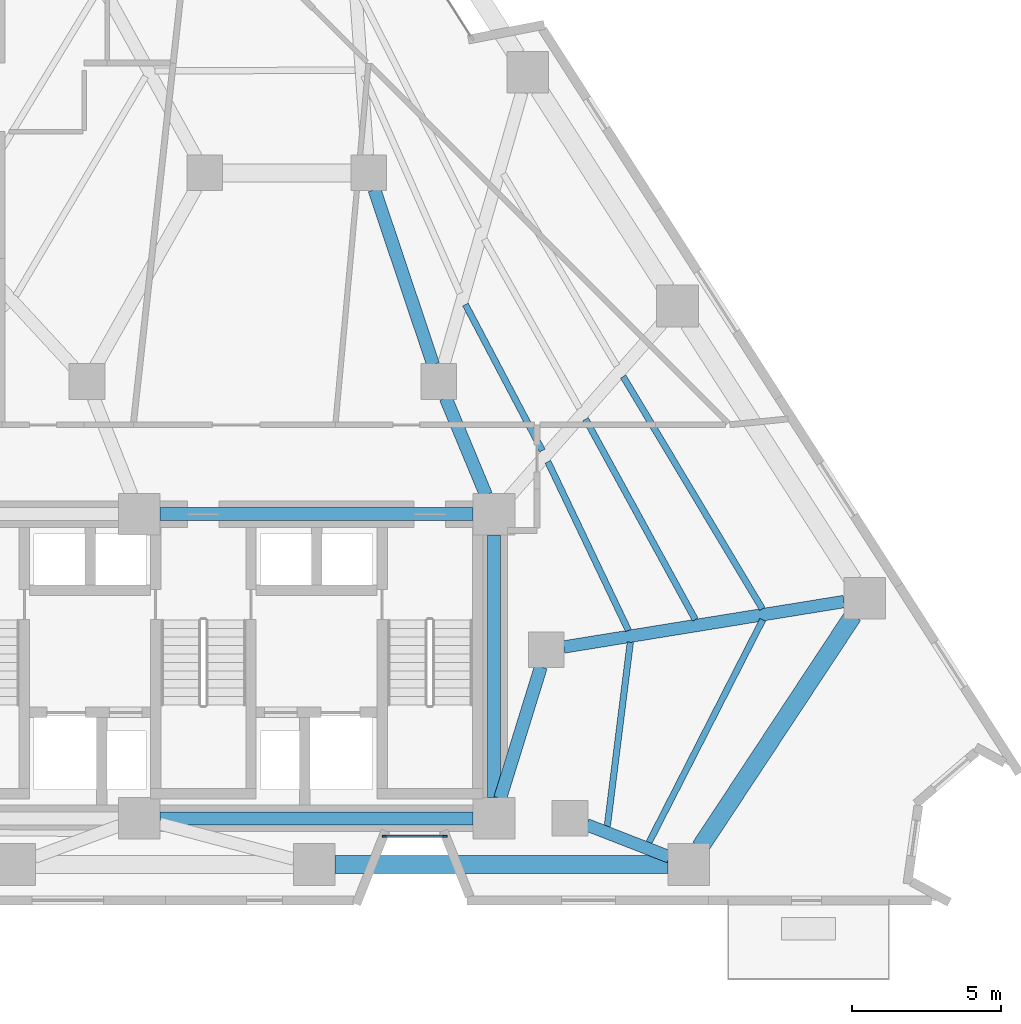
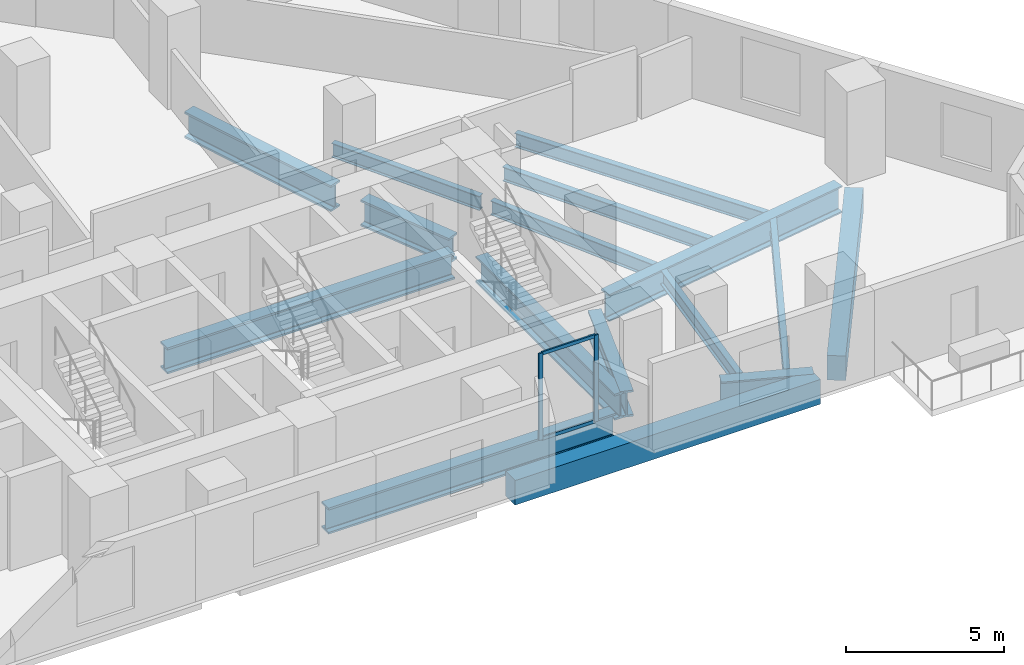
# One storey, part 3 of 13: 16 beams, 4 members, 1 element without a shape of its own.
"""IFC4 building model written with IfcOpenShell, lengths in metres."""

from ifc_helpers import new_model, si_unit, direction, frame, origin, origin_2d, place, context, subcontext, project, spatial, rectangle, i_section, extrude, material, layer, layer_set, material_profile, profile_set, type_object, element, aggregate, save


model = new_model("IFC4")

# Units and contexts
model_context = context("Model", 3, precision=1e-05, world=origin(), true_north=direction((0.0, 1.0)))
body_context = subcontext(model_context, "Body", "Model", "MODEL_VIEW")
ifc_project = project(units=[si_unit("LENGTHUNIT", "METRE"), si_unit("AREAUNIT", "SQUARE_METRE"), si_unit("VOLUMEUNIT", "CUBIC_METRE"), si_unit("PLANEANGLEUNIT", "RADIAN"), si_unit("MASSUNIT", "GRAM", prefix="KILO")], contexts=[model_context])

# Site, building, storey
site_placement = place(None, origin())
site = spatial("IfcSite", under=ifc_project, at=site_placement, CompositionType="ELEMENT")
building_placement = place(site_placement, origin())
building = spatial("IfcBuilding", under=site, at=building_placement, Name="Almagre Mirador Tower", CompositionType="ELEMENT")
storey_placement = place(building_placement, frame((0.0, 0.0, 42.60009765625)))
storey = spatial("IfcBuildingStorey", under=building, at=storey_placement, Name="L09", CompositionType="ELEMENT", Elevation=42.60009765625)

# Beams
ifc_material_1 = material(Name="Steel ASTM A992 Grade 50", Category="steel")
ifc_material_profile_1 = material_profile(ifc_material_1, i_section(OverallWidth=0.214111328125, OverallDepth=0.549072265625, WebThickness=0.0146484375, FlangeThickness=0.023681640625, FilletRadius=0.01806640625, at=origin_2d()), Name="W21X93")
ifc_profile_set_1 = profile_set([ifc_material_profile_1], Name="Steel ASTM A992 Grade 50")
beam_type_1 = type_object("IfcBeamType", Name="BM-JST-W21X93", PredefinedType="JOIST", material=ifc_profile_set_1)
beam_1_placement = place(storey_placement, frame((52.25048828125, 3.742431640625, -0.524658203125), z_axis=(0.454943766331, 0.890520167922, 0.0), x_axis=(-0.890520167922, 0.454943766331, 0.0)))
element("IfcBeam", 1, at=beam_1_placement, inside=storey, type_object=beam_type_1, Name="L09 secondary floor joist PC04-PC05.1", PredefinedType="JOIST", context=body_context, shape_type="SweptSolid", body=[
    extrude(i_section(OverallWidth=0.214111328125, OverallDepth=0.549072265625, WebThickness=0.0146484375, FlangeThickness=0.023681640625, FilletRadius=0.01806640625, at=origin_2d()), origin(), (0.0, 0.0, 1.0), 8.3828125),
])
beam_2_placement = place(storey_placement, frame((50.8505859375, 4.281494140625, -0.524658203125), z_axis=(0.124020243408, 0.992279688004, 0.0), x_axis=(-0.992279688004, 0.124020243408, 0.0)))
element("IfcBeam", 2, at=beam_2_placement, inside=storey, type_object=beam_type_1, Name="L09 secondary floor joist PC04-PC05.3", PredefinedType="JOIST", context=body_context, shape_type="SweptSolid", body=[
    extrude(i_section(OverallWidth=0.214111328125, OverallDepth=0.549072265625, WebThickness=0.0146484375, FlangeThickness=0.023681640625, FilletRadius=0.01806640625, at=origin_2d()), origin(), (0.0, 0.0, 1.0), 6.220703125),
])
beam_3_placement = place(storey_placement, frame((56.0517578125, 11.57373046875, -0.524658203125), z_axis=(-0.513871177403, 0.857867363311, 0.0), x_axis=(-0.857867363311, -0.513871177403, 0.0)))
element("IfcBeam", 3, at=beam_3_placement, inside=storey, type_object=beam_type_1, Name="L09 secondary floor joist PC05-PC06.1", PredefinedType="JOIST", context=body_context, shape_type="SweptSolid", body=[
    extrude(i_section(OverallWidth=0.214111328125, OverallDepth=0.549072265625, WebThickness=0.0146484375, FlangeThickness=0.023681640625, FilletRadius=0.01806640625, at=origin_2d()), origin(), (0.0, 0.0, 1.0), 9.08447265625),
])
beam_4_placement = place(storey_placement, frame((53.802978515625, 11.2119140625, -0.524658203125), z_axis=(-0.480004943327, 0.877265783205, 0.0), x_axis=(-0.877265783205, -0.480004943327, 0.0)))
element("IfcBeam", 4, at=beam_4_placement, inside=storey, type_object=beam_type_1, Name="L09 secondary floor joist PC05-PC06.2", PredefinedType="JOIST", context=body_context, shape_type="SweptSolid", body=[
    extrude(i_section(OverallWidth=0.214111328125, OverallDepth=0.549072265625, WebThickness=0.0146484375, FlangeThickness=0.023681640625, FilletRadius=0.01806640625, at=origin_2d()), origin(), (0.0, 0.0, 1.0), 7.66845703125),
])
beam_5_placement = place(storey_placement, frame((51.557861328125, 10.85107421875, -0.524658203125), z_axis=(-0.430675529858, 0.902506835421, 0.0), x_axis=(-0.902506835421, -0.430675529858, 0.0)))
element("IfcBeam", 5, at=beam_5_placement, inside=storey, type_object=beam_type_1, Name="L09 secondary floor joist PC05-PC06.3", PredefinedType="JOIST", context=body_context, shape_type="SweptSolid", body=[
    extrude(i_section(OverallWidth=0.214111328125, OverallDepth=0.549072265625, WebThickness=0.0146484375, FlangeThickness=0.023681640625, FilletRadius=0.01806640625, at=origin_2d()), origin(), (0.0, 0.0, 1.0), 6.270263671875),
])
beam_6_placement = place(storey_placement, frame((48.66943359375, 16.884521484375, -0.524658203125), z_axis=(-0.46582280431, 0.884878022659, 0.0), x_axis=(-0.884878022659, -0.46582280431, 0.0)))
element("IfcBeam", 6, at=beam_6_placement, inside=storey, type_object=beam_type_1, Name="L09 secondary floor joist PC06-PC07.3", PredefinedType="JOIST", context=body_context, shape_type="SweptSolid", body=[
    extrude(i_section(OverallWidth=0.214111328125, OverallDepth=0.549072265625, WebThickness=0.0146484375, FlangeThickness=0.023681640625, FilletRadius=0.01806640625, at=origin_2d()), origin(), (0.0, 0.0, 1.0), 5.533447265625),
])
ifc_material_2 = material(Name="Precast concrete C50/60", Category="concrete")
ifc_material_profile_2 = material_profile(ifc_material_2, rectangle(XDim=0.60009765625, YDim=0.949951171875, at=origin_2d()), Name="RC600X950")
ifc_profile_set_2 = profile_set([ifc_material_profile_2], Name="Precast concrete C50/60")
beam_type_2 = type_object("IfcBeamType", Name="BM-SPN-RC600X950", PredefinedType="SPANDREL", material=ifc_profile_set_2)
beam_7_placement = place(storey_placement, frame((41.72412109375, 3.0, -0.72509765625), z_axis=(1.0, 0.0, 0.0), x_axis=(0.0, 1.0, 0.0)))
element("IfcBeam", 7, at=beam_7_placement, inside=storey, type_object=beam_type_2, Name="L09 perimeter spandrel beam PC03-PC04", PredefinedType="SPANDREL", context=body_context, shape_type="SweptSolid", body=[
    extrude(rectangle(XDim=0.60009765625, YDim=0.949951171875, at=origin_2d()), origin(), (0.0, 0.0, 1.0), 11.159912109375),
])
beam_8_placement = place(storey_placement, frame((53.9697265625, 3.584228515625, -0.72509765625), z_axis=(0.550976725149, 0.834520609898, 0.0), x_axis=(-0.834520609898, 0.550976725149, 0.0)))
element("IfcBeam", 8, at=beam_8_placement, inside=storey, type_object=beam_type_2, Name="L09 perimeter spandrel beam PC04-PC05", PredefinedType="SPANDREL", context=body_context, shape_type="SweptSolid", body=[
    extrude(rectangle(XDim=0.60009765625, YDim=0.949951171875, at=origin_2d()), origin(), (0.0, 0.0, 1.0), 9.304443359375),
])
ifc_material_3 = material(Name="Steel ASTM A992 Grade 50", Category="steel")
ifc_material_profile_3 = material_profile(ifc_material_3, i_section(OverallWidth=0.43701171875, OverallDepth=1.010986328125, WebThickness=0.041015625, FlangeThickness=0.073974609375, FilletRadius=0.028076171875, at=origin_2d()), Name="W36X529")
ifc_profile_set_3 = profile_set([ifc_material_profile_3], Name="Steel ASTM A992 Grade 50")
beam_type_3 = type_object("IfcBeamType", Name="BM-STL-W36X529", PredefinedType="BEAM", material=ifc_profile_set_3)
for number, where, z_axis, x_axis, name in (
    (9, (35.85009765625, 4.550048828125, -0.755615234375), (1.0, 0.0, 0.0), (0.0, 1.0, 0.0), "L09 core tie girder CC2-CC3"),
    (10, (35.85009765625, 14.75, -0.755615234375), (1.0, 0.0, 0.0), (0.0, 1.0, 0.0), "L09 core tie girder CC5-CC6"),
):
    element("IfcBeam", number, at=place(storey_placement, frame(where, z_axis=z_axis, x_axis=x_axis)), inside=storey, type_object=beam_type_3, Name=name, PredefinedType="BEAM", context=body_context, shape_type="SweptSolid", body=[
        extrude(i_section(OverallWidth=0.43701171875, OverallDepth=1.010986328125, WebThickness=0.041015625, FlangeThickness=0.073974609375, FilletRadius=0.028076171875, at=origin_2d()), origin(), (0.0, 0.0, 1.0), 10.5),
    ])
beam_9_placement = place(storey_placement, frame((47.050048828125, 5.25, -0.755615234375), z_axis=(0.0, 1.0, 0.0), x_axis=(-1.0, 0.0, 0.0)))
element("IfcBeam", 11, at=beam_9_placement, inside=storey, type_object=beam_type_3, Name="L09 core tie girder CC3-CC6", PredefinedType="BEAM", context=body_context, shape_type="SweptSolid", body=[
    extrude(i_section(OverallWidth=0.43701171875, OverallDepth=1.010986328125, WebThickness=0.041015625, FlangeThickness=0.073974609375, FilletRadius=0.028076171875, at=origin_2d()), origin(), (0.0, 0.0, 1.0), 8.800048828125),
])
beam_10_placement = place(storey_placement, frame((48.62255859375, 9.626953125, -0.755615234375), z_axis=(-0.295888328273, -0.955222538046, 0.0), x_axis=(0.955222538046, -0.295888328273, 0.0)))
element("IfcBeam", 12, at=beam_10_placement, inside=storey, type_object=beam_type_3, Name="L09 core tie girder MC3-CC3", PredefinedType="BEAM", context=body_context, shape_type="SweptSolid", body=[
    extrude(i_section(OverallWidth=0.43701171875, OverallDepth=1.010986328125, WebThickness=0.041015625, FlangeThickness=0.073974609375, FilletRadius=0.028076171875, at=origin_2d()), origin(), (0.0, 0.0, 1.0), 4.61474609375),
])
beam_11_placement = place(storey_placement, frame((45.430419921875, 18.64599609375, -0.755615234375), z_axis=(0.383856635851, -0.923392702545, 0.0), x_axis=(0.923392702545, 0.383856635851, 0.0)))
element("IfcBeam", 13, at=beam_11_placement, inside=storey, type_object=beam_type_3, Name="L09 core tie girder MC5-CC6", PredefinedType="BEAM", context=body_context, shape_type="SweptSolid", body=[
    extrude(i_section(OverallWidth=0.43701171875, OverallDepth=1.010986328125, WebThickness=0.041015625, FlangeThickness=0.073974609375, FilletRadius=0.028076171875, at=origin_2d()), origin(), (0.0, 0.0, 1.0), 3.51904296875),
])
beam_12_placement = place(storey_placement, frame((43.041015625, 25.631103515625, -0.755615234375), z_axis=(0.318252395552, -0.948006019351, 0.0), x_axis=(0.948006019351, 0.318252395552, 0.0)))
element("IfcBeam", 14, at=beam_12_placement, inside=storey, type_object=beam_type_3, Name="L09 core tie girder MC6-MC5", PredefinedType="BEAM", context=body_context, shape_type="SweptSolid", body=[
    extrude(i_section(OverallWidth=0.43701171875, OverallDepth=1.010986328125, WebThickness=0.041015625, FlangeThickness=0.073974609375, FilletRadius=0.028076171875, at=origin_2d()), origin(), (0.0, 0.0, 1.0), 6.183837890625),
])
ifc_material_4 = material(Name="Steel ASTM A913 Grade 65", Category="steel")
ifc_material_profile_4 = material_profile(ifc_material_4, i_section(OverallWidth=0.4189453125, OverallDepth=1.041015625, WebThickness=0.031005859375, FlangeThickness=0.055908203125, FilletRadius=0.030029296875, at=origin_2d()), Name="W40X397")
ifc_profile_set_4 = profile_set([ifc_material_profile_4], Name="Steel ASTM A913 Grade 65")
beam_type_4 = type_object("IfcBeamType", Name="BM-STL-W40X397", PredefinedType="BEAM", material=ifc_profile_set_4)
beam_13_placement = place(storey_placement, frame((52.931640625, 3.25390625, -0.7705078125), z_axis=(-0.931955378588, 0.362572988957, 0.0), x_axis=(-0.362572988957, -0.931955378588, 0.0)))
element("IfcBeam", 15, at=beam_13_placement, inside=storey, type_object=beam_type_4, Name="L09 radial floor girder PC04-MC2", PredefinedType="BEAM", context=body_context, shape_type="SweptSolid", body=[
    extrude(i_section(OverallWidth=0.4189453125, OverallDepth=1.041015625, WebThickness=0.031005859375, FlangeThickness=0.055908203125, FilletRadius=0.030029296875, at=origin_2d()), origin(), (0.0, 0.0, 1.0), 2.974853515625),
])
beam_14_placement = place(storey_placement, frame((58.791015625, 11.82080078125, -0.7705078125), z_axis=(-0.987096387793, -0.160127203205, 0.0), x_axis=(0.160127203205, -0.987096387793, 0.0)))
element("IfcBeam", 16, at=beam_14_placement, inside=storey, type_object=beam_type_4, Name="L09 radial floor girder PC05-MC3", PredefinedType="BEAM", context=body_context, shape_type="SweptSolid", body=[
    extrude(i_section(OverallWidth=0.4189453125, OverallDepth=1.041015625, WebThickness=0.031005859375, FlangeThickness=0.055908203125, FilletRadius=0.030029296875, at=origin_2d()), origin(), (0.0, 0.0, 1.0), 9.521484375),
])

# Curtain wall, members
ifc_material_5 = material(Name="Black anodized aluminium", Category="aluminium")
ifc_layer = layer(ifc_material_5, 0.169921875)
ifc_layer_set = layer_set([ifc_layer], Name="Black anodized aluminium")
curtain_wall_type = type_object("IfcCurtainWallType", Name="CW-CRS-SYS", PredefinedType="NOTDEFINED", material=ifc_layer_set)
curtain_wall_placement = place(storey_placement, origin())
curtain_wall = element("IfcCurtainWall", 17, at=curtain_wall_placement, inside=storey, type_object=curtain_wall_type, Name="L09 vertical crease curtain wall 04", PredefinedType="NOTDEFINED")
ifc_material_6 = material(Name="Black anodized aluminium", Category="aluminium")
ifc_material_profile_5 = material_profile(ifc_material_6, rectangle(XDim=0.06005859375, YDim=0.14990234375, at=origin_2d()), Name="CWM60X150")
ifc_profile_set_5 = profile_set([ifc_material_profile_5], Name="Black anodized aluminium")
member_type_1 = type_object("IfcMemberType", Name="MBR-CWM60X150", PredefinedType="MULLION", material=ifc_profile_set_5)
member_1_placement = place(storey_placement, frame((45.39892578125, 3.949951171875, 0.0), z_axis=(0.0, 0.0, 1.0), x_axis=(0.0, -1.0, 0.0)))
member_1 = element("IfcMember", 18, at=member_1_placement, type_object=member_type_1, Name="CW-4 mullion 1", PredefinedType="MULLION", context=body_context, shape_type="SweptSolid", body=[
    extrude(rectangle(XDim=0.06005859375, YDim=0.14990234375, at=origin_2d()), origin(), (0.0, 0.0, 1.0), 3.349853515625),
])
member_2_placement = place(storey_placement, frame((43.368896484375, 3.949951171875, 0.0), z_axis=(0.0, 0.0, 1.0), x_axis=(0.0, -1.0, 0.0)))
member_2 = element("IfcMember", 19, at=member_2_placement, type_object=member_type_1, Name="CW-4 mullion 2", PredefinedType="MULLION", context=body_context, shape_type="SweptSolid", body=[
    extrude(rectangle(XDim=0.06005859375, YDim=0.14990234375, at=origin_2d()), origin(), (0.0, 0.0, 1.0), 3.349853515625),
])
ifc_material_7 = material(Name="Black anodized aluminium", Category="aluminium")
ifc_material_profile_6 = material_profile(ifc_material_7, rectangle(XDim=0.06005859375, YDim=0.1298828125, at=origin_2d()), Name="CWT60X130")
ifc_profile_set_6 = profile_set([ifc_material_profile_6], Name="Black anodized aluminium")
member_type_2 = type_object("IfcMemberType", Name="MBR-CWT60X130", PredefinedType="USERDEFINED", material=ifc_profile_set_6)
member_3_placement = place(storey_placement, frame((45.368896484375, 3.949951171875, 0.02978515625), z_axis=(-1.0, 0.0, 0.0), x_axis=(0.0, -1.0, 0.0)))
member_3 = element("IfcMember", 20, at=member_3_placement, type_object=member_type_2, Name="CW-4 transom 1.1", ObjectType="TRANSOM", PredefinedType="USERDEFINED", context=body_context, shape_type="SweptSolid", body=[
    extrude(rectangle(XDim=0.06005859375, YDim=0.1298828125, at=origin_2d()), origin(), (0.0, 0.0, 1.0), 1.969970703125),
])
member_4_placement = place(storey_placement, frame((45.368896484375, 3.949951171875, 3.31982421875), z_axis=(-1.0, 0.0, 0.0), x_axis=(0.0, -1.0, 0.0)))
member_4 = element("IfcMember", 21, at=member_4_placement, type_object=member_type_2, Name="CW-4 transom 1.2", ObjectType="TRANSOM", PredefinedType="USERDEFINED", context=body_context, shape_type="SweptSolid", body=[
    extrude(rectangle(XDim=0.06005859375, YDim=0.1298828125, at=origin_2d()), origin(), (0.0, 0.0, 1.0), 1.969970703125),
])
aggregate(curtain_wall, [member_1, member_2, member_3, member_4])

save(model, "model.ifc")
